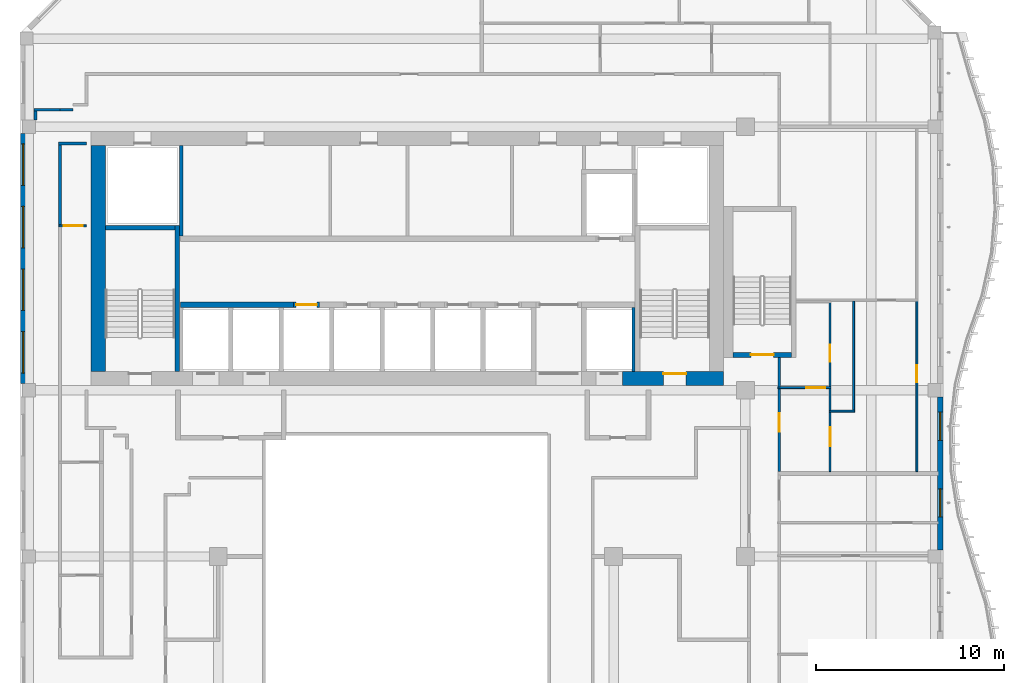
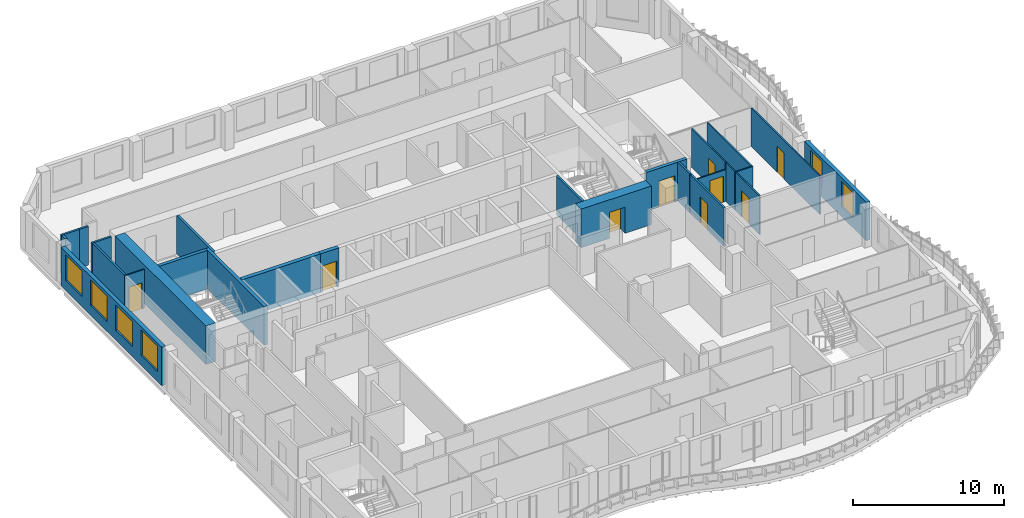
# One storey, part 6 of 18: 26 walls, 9 doors, 6 windows, 15 openings.
"""IFC4 building model written with IfcOpenShell, lengths in metres."""

import ifcopenshell
import ifcopenshell.guid

model = None  # the IFC model being written
_history = None  # IfcOwnerHistory: only IFC2X3 demands one
_inside = {}  # id of a spatial element -> (the spatial element, [elements in it])
_under = {}  # id of a project, library or spatial element -> (it, [spatial elements below it])
_declared = {}  # id of a project -> (the project, [libraries it declares])
_typed = {}  # id of a type object -> (the type object, [elements of that type])
_made_of = {}  # id of a material, layer set ... -> (it, [elements and type objects made of it])


def new_model(schema):
    """Start an empty IFC model of exactly this schema.

    Asked for "IFC4X3", IfcOpenShell would pick the latest addendum, in which some entities
    have other attributes; the version numbers below select the first issue.
    IFC2X3 requires an IfcOwnerHistory on every rooted entity: one is made here for all.
    """
    global model, _history
    if schema == "IFC4X3":
        model = ifcopenshell.file(schema_version=(4, 3, 0, 0))
    else:
        model = ifcopenshell.file(schema=schema)
    _inside.clear()
    _under.clear()
    _declared.clear()
    _typed.clear()
    _made_of.clear()
    _history = None
    if model.schema == "IFC2X3":
        org = make("IfcOrganization", Name="unknown")
        user = make(
            "IfcPersonAndOrganization",
            ThePerson=make("IfcPerson", FamilyName="unknown"),
            TheOrganization=org,
        )
        app = make(
            "IfcApplication",
            ApplicationDeveloper=org,
            Version="unknown",
            ApplicationFullName="unknown",
            ApplicationIdentifier="unknown",
        )
        _history = make(
            "IfcOwnerHistory",
            OwningUser=user,
            OwningApplication=app,
            ChangeAction="ADDED",
            CreationDate=0,
        )
    return model


def make(cls, **values):
    """One entity of the class cls with the attributes given. An attribute that is None is left unset."""
    return model.create_entity(
        cls, **{name: value for name, value in values.items() if value is not None}
    )


def rooted(cls, **values):
    """An entity with a GlobalId (a new one), such as an element, a storey or a relation."""
    return make(cls, GlobalId=ifcopenshell.guid.new(), OwnerHistory=_history, **values)


def si_unit(unit_type, name, prefix=None):
    """IfcSIUnit, for example si_unit("LENGTHUNIT", "METRE", prefix="MILLI")."""
    return make("IfcSIUnit", UnitType=unit_type, Prefix=prefix, Name=name)


def assignment(units):
    """IfcUnitAssignment: the units of a project."""
    return None if units is None else make("IfcUnitAssignment", Units=units)


def point(xyz):
    """IfcCartesianPoint."""
    return None if xyz is None else make("IfcCartesianPoint", Coordinates=xyz)


def direction(xyz):
    """IfcDirection."""
    return None if xyz is None else make("IfcDirection", DirectionRatios=xyz)


def frame(location, z_axis=None, x_axis=None):
    """IfcAxis2Placement3D, a coordinate frame: its origin and axes. An axis left out is left unset."""
    return make(
        "IfcAxis2Placement3D",
        Location=point(location),
        Axis=direction(z_axis),
        RefDirection=direction(x_axis),
    )


def frame_2d(location, x_axis=None):
    """IfcAxis2Placement2D, a coordinate frame in the plane: its origin and x axis."""
    return make(
        "IfcAxis2Placement2D", Location=point(location), RefDirection=direction(x_axis)
    )


def origin():
    """The frame at (0, 0, 0) with its axes left unset."""
    return frame((0.0, 0.0, 0.0))


def place(relative_to, where):
    """IfcLocalPlacement: puts the frame where relative to a parent placement (None: the world)."""
    return make(
        "IfcLocalPlacement", PlacementRelTo=relative_to, RelativePlacement=where
    )


def context(
    kind, dimensions, precision=None, world=None, true_north=None, identifier=None
):
    """IfcGeometricRepresentationContext, for example the 3D "Model" context."""
    return make(
        "IfcGeometricRepresentationContext",
        ContextIdentifier=identifier,
        ContextType=kind,
        CoordinateSpaceDimension=dimensions,
        Precision=precision,
        WorldCoordinateSystem=world,
        TrueNorth=true_north,
    )


def subcontext(parent, identifier, kind, view, scale=None):
    """IfcGeometricRepresentationSubContext, for example "Body" below "Model"."""
    return make(
        "IfcGeometricRepresentationSubContext",
        ContextIdentifier=identifier,
        ContextType=kind,
        ParentContext=parent,
        TargetScale=scale,
        TargetView=view,
    )


def project(units=None, contexts=None):
    """IfcProject with its units and contexts."""
    return rooted(
        "IfcProject",
        Name="project",
        RepresentationContexts=contexts,
        UnitsInContext=assignment(units),
    )


def spatial(cls, under=None, at=None, **own):
    """A site, building, storey or space (cls), placed at a placement, below another one or the project."""
    s = rooted(cls, ObjectPlacement=at, **own)
    if under is not None:
        _under.setdefault(under.id(), (under, []))[1].append(s)
    return s


def profile(cls, at=None, kind="AREA", **sizes):
    """A parametric profile (cls). Its sizes go by their IFC names, for example OverallWidth=200.0."""
    return make(cls, ProfileType=kind, Position=at, **sizes)


def rectangle(**sizes):
    """IfcRectangleProfileDef."""
    return profile("IfcRectangleProfileDef", **sizes)


def extrude(swept, where, along, depth):
    """IfcExtrudedAreaSolid: the profile swept, set in the frame where, extruded along a direction by depth."""
    return make(
        "IfcExtrudedAreaSolid",
        SweptArea=swept,
        Position=where,
        ExtrudedDirection=direction(along),
        Depth=depth,
    )


def shape(context_of_items, identifier, shape_type, items):
    """IfcShapeRepresentation: the items that make up one representation, for example the "Body"."""
    return make(
        "IfcShapeRepresentation",
        ContextOfItems=context_of_items,
        RepresentationIdentifier=identifier,
        RepresentationType=shape_type,
        Items=items,
    )


def source(mapping_origin, context_of_items, identifier, shape_type, items):
    """IfcRepresentationMap: a shape defined once, which mapped items show again and again."""
    return make(
        "IfcRepresentationMap",
        MappingOrigin=mapping_origin,
        MappedRepresentation=shape(context_of_items, identifier, shape_type, items),
    )


def transform(
    local_origin,
    x_axis=None,
    y_axis=None,
    z_axis=None,
    scale=None,
    scale2=None,
    scale3=None,
    uniform=True,
):
    """IfcCartesianTransformationOperator3D, or its non-uniform kind. x_axis, y_axis, z_axis: its Axis1, 2, 3."""
    if uniform:
        return make(
            "IfcCartesianTransformationOperator3D",
            Axis1=direction(x_axis),
            Axis2=direction(y_axis),
            LocalOrigin=point(local_origin),
            Scale=scale,
            Axis3=direction(z_axis),
        )
    return make(
        "IfcCartesianTransformationOperator3DnonUniform",
        Axis1=direction(x_axis),
        Axis2=direction(y_axis),
        LocalOrigin=point(local_origin),
        Scale=scale,
        Axis3=direction(z_axis),
        Scale2=scale2,
        Scale3=scale3,
    )


def mapped(mapping_source, mapping_target):
    """IfcMappedItem: shows the shape of a source again, moved by a transform."""
    return make(
        "IfcMappedItem", MappingSource=mapping_source, MappingTarget=mapping_target
    )


def material(Name=None, Category=None):
    """IfcMaterial."""
    return make("IfcMaterial", Name=Name, Category=Category)


def layer(
    of_material, thickness, ventilated=None, Name=None, Category=None, Priority=None
):
    """IfcMaterialLayer: one layer of a wall or slab, of a material (None: an air gap)."""
    return make(
        "IfcMaterialLayer",
        Material=of_material,
        LayerThickness=thickness,
        IsVentilated=ventilated,
        Name=Name,
        Category=Category,
        Priority=Priority,
    )


def layer_set(layers, Name=None):
    """IfcMaterialLayerSet."""
    return make("IfcMaterialLayerSet", MaterialLayers=layers, LayerSetName=Name)


def made_of(thing, what):
    """Note that an element or type object is made of a material, layer set ...; save() writes the relation."""
    if what is not None:
        _made_of.setdefault(what.id(), (what, []))[1].append(thing)
    return thing


def type_object(cls, material=None, **own):
    """A type object (cls), such as IfcWallType, which elements share."""
    return made_of(rooted(cls, **own), material)


def element(
    cls,
    number,
    at=None,
    inside=None,
    cuts=None,
    type_object=None,
    material=None,
    context=None,
    identifier="Body",
    shape_type=None,
    held_by="IfcProductDefinitionShape",
    body=None,
    shapes=None,
    **own,
):
    """One element of the class cls, such as IfcWall. Its Tag is "e" and its number.

    at: its placement. inside: the storey or other place that contains it. cuts: it is an
    opening in that element (IfcRelVoidsElement). A single representation is given by context,
    identifier, shape_type and body (its items); several are given by shapes. held_by: the class
    of the entity that holds the representations. save() writes the other relations.
    """
    e = rooted(cls, Tag="e%d" % number, ObjectPlacement=at, **own)
    if body is not None:
        shapes = [shape(context, identifier, shape_type, body)]
    if shapes is not None:
        e.Representation = make(held_by, Representations=shapes)
    if inside is not None:
        _inside.setdefault(inside.id(), (inside, []))[1].append(e)
    if cuts is not None:
        rooted(
            "IfcRelVoidsElement", RelatingBuildingElement=cuts, RelatedOpeningElement=e
        )
    if type_object is not None:
        _typed.setdefault(type_object.id(), (type_object, []))[1].append(e)
    return made_of(e, material)


def fill(opening, filler):
    """IfcRelFillsElement: the door or window that sits in an opening."""
    return rooted(
        "IfcRelFillsElement",
        RelatingOpeningElement=opening,
        RelatedBuildingElement=filler,
    )


def aggregate(whole, parts):
    """IfcRelAggregates: a whole, such as a stair, and the parts it consists of."""
    return rooted("IfcRelAggregates", RelatingObject=whole, RelatedObjects=parts)


def save(model, path):
    """Write the relations noted so far, then the file.

    IfcRelAggregates (storeys below a building ...), IfcRelContainedInSpatialStructure (elements
    in a storey), IfcRelDefinesByType, IfcRelAssociatesMaterial and IfcRelDeclares: one each for
    every whole, place, type object, material and project.
    """
    for whole, parts in _under.values():
        aggregate(whole, parts)
    for where, things in _inside.values():
        rooted(
            "IfcRelContainedInSpatialStructure",
            RelatedElements=things,
            RelatingStructure=where,
        )
    for kind, things in _typed.values():
        rooted("IfcRelDefinesByType", RelatedObjects=things, RelatingType=kind)
    for what, things in _made_of.values():
        rooted("IfcRelAssociatesMaterial", RelatedObjects=things, RelatingMaterial=what)
    for by, libraries in _declared.values():
        rooted("IfcRelDeclares", RelatingContext=by, RelatedDefinitions=libraries)
    model.write(path)


model = new_model("IFC4")

# Units and contexts
model_context = context("Model", 3, precision=1e-05, world=origin(), true_north=direction((0.0, 1.0)))
body_context = subcontext(model_context, "Body", "Model", "MODEL_VIEW")
ifc_project = project(units=[si_unit("LENGTHUNIT", "METRE"), si_unit("AREAUNIT", "SQUARE_METRE"), si_unit("VOLUMEUNIT", "CUBIC_METRE"), si_unit("PLANEANGLEUNIT", "RADIAN"), si_unit("MASSUNIT", "GRAM", prefix="KILO")], contexts=[model_context])

# Site, building, storey
site_placement = place(None, origin())
site = spatial("IfcSite", under=ifc_project, at=site_placement, CompositionType="ELEMENT")
building_placement = place(site_placement, origin())
building = spatial("IfcBuilding", under=site, at=building_placement, Name="Kilnfold Tower and Market Hall", CompositionType="ELEMENT")
storey_placement = place(building_placement, frame((0.0, 0.0, 249.199951171875)))
storey = spatial("IfcBuildingStorey", under=building, at=storey_placement, Name="L60", CompositionType="ELEMENT", Elevation=249.199951171875)

# Walls
ifc_material_1 = material(Name="Gypsum board on steel studs", Category="steel")
ifc_layer_1 = layer(ifc_material_1, 0.14990234375)
ifc_layer_set_1 = layer_set([ifc_layer_1], Name="Gypsum board on steel studs")
wall_type_1 = type_object("IfcWallType", Name="WALL CORRIDOR 150", PredefinedType="PARTITIONING", material=ifc_layer_set_1)
wall_1_placement = place(storey_placement, frame((-17.47509765625, 21.10009765625, 0.0), z_axis=(0.0, 0.0, 1.0), x_axis=(1.0, 0.0, 0.0)))
element("IfcWall", 1, at=wall_1_placement, inside=storey, type_object=wall_type_1, Name="Partition LY37.7", PredefinedType="PARTITIONING", context=body_context, shape_type="SweptSolid", body=[
    extrude(rectangle(XDim=1.47509765625, YDim=0.14990234375, at=frame_2d((0.737548828125, 0.0))), origin(), (0.0, 0.0, 1.0), 3.1201171875),
])
wall_2_placement = place(storey_placement, frame((-17.39990234375, 16.77099609375, 0.0), z_axis=(0.0, 0.0, 1.0), x_axis=(0.0, 1.0, 0.0)))
element("IfcWall", 2, at=wall_2_placement, inside=storey, type_object=wall_type_1, Name="Partition LY37.8", PredefinedType="PARTITIONING", context=body_context, shape_type="SweptSolid", body=[
    extrude(rectangle(XDim=4.25390625, YDim=0.14990234375, at=frame_2d((2.126953125, 0.0))), origin(), (0.0, 0.0, 1.0), 3.1201171875),
])

# Wall, opening, door
wall_3_placement = place(storey_placement, frame((20.800048828125, 3.673095703125, 0.0), z_axis=(0.0, 0.0, 1.0), x_axis=(0.0, 1.0, 0.0)))
wall_3 = element("IfcWall", 3, at=wall_3_placement, inside=storey, type_object=wall_type_1, Name="Partition LY37.17", PredefinedType="PARTITIONING", context=body_context, shape_type="SweptSolid", body=[
    extrude(rectangle(XDim=4.428955078125, YDim=0.14990234375, at=frame_2d((2.21435546875, 0.0))), origin(), (0.0, 0.0, 1.0), 3.1201171875),
])
opening_1_placement = place(wall_3_placement, frame((2.117919921875, 0.0, 0.0)))
opening_1 = element("IfcOpeningElement", 4, at=opening_1_placement, cuts=wall_3, Name="Opening D1", PredefinedType="OPENING", context=body_context, shape_type="SweptSolid", body=[
    extrude(rectangle(XDim=1.0, YDim=2.10009765625, at=frame_2d((0.5, 1.050048828125))), frame((0.0, 0.0849609375, 0.0), z_axis=(0.0, -1.0, 0.0), x_axis=(1.0, 0.0, 0.0)), (0.0, 0.0, 1.0), 0.169921875),
])
ifc_material_2 = material(Name="Timber veneer door leaf in steel frame", Category="steel")
door_type_1 = type_object("IfcDoorType", Name="DOOR ENTRY 1000 X2100", OperationType="NOTDEFINED", PredefinedType="DOOR", material=ifc_material_2)
door_1_placement = place(opening_1_placement, origin())
door_1 = element("IfcDoor", 5, at=door_1_placement, inside=storey, type_object=door_type_1, Name="Door D1", OperationType="SINGLE_SWING_RIGHT", OverallHeight=2.10009765625, OverallWidth=1.0, PredefinedType="DOOR", context=body_context, shape_type="SweptSolid", body=[
    extrude(rectangle(XDim=1.0, YDim=2.10009765625, at=frame_2d((0.5, 1.050048828125))), frame((0.0, 0.02490234375, 0.0), z_axis=(0.0, -1.0, 0.0), x_axis=(1.0, 0.0, 0.0)), (0.0, 0.0, 1.0), 0.050048828125),
])
fill(opening_1, door_1)

# Walls
wall_4_placement = place(storey_placement, frame((20.800048828125, 8.181884765625, 0.0), z_axis=(0.0, 0.0, 1.0), x_axis=(0.0, 1.0, 0.0)))
element("IfcWall", 6, at=wall_4_placement, inside=storey, type_object=wall_type_1, Name="Partition LY37.18", PredefinedType="PARTITIONING", context=body_context, shape_type="SweptSolid", body=[
    extrude(rectangle(XDim=1.568115234375, YDim=0.14990234375, at=frame_2d((0.7841796875, 0.0))), origin(), (0.0, 0.0, 1.0), 3.1201171875),
])
wall_5_placement = place(storey_placement, frame((-17.39794921875, 22.902099609375, 0.0), z_axis=(0.0, 0.0, 1.0), x_axis=(-1.0, 0.0, 0.0)))
element("IfcWall", 7, at=wall_5_placement, inside=storey, type_object=wall_type_1, Name="Partition LY37.22", PredefinedType="PARTITIONING", context=body_context, shape_type="SweptSolid", body=[
    extrude(rectangle(XDim=1.379150390625, YDim=0.14990234375, at=frame_2d((0.689453125, 0.0))), origin(), (0.0, 0.0, 1.0), 3.1201171875),
])
wall_6_placement = place(storey_placement, frame((-16.7119140625, 22.89990234375, 0.0), z_axis=(0.0, 0.0, 1.0), x_axis=(-1.0, 0.0, 0.0)))
element("IfcWall", 8, at=wall_6_placement, inside=storey, type_object=wall_type_1, Name="Partition LY37.23", PredefinedType="PARTITIONING", context=body_context, shape_type="SweptSolid", body=[
    extrude(rectangle(XDim=0.68603515625, YDim=0.14990234375, at=frame_2d((0.343017578125, 0.0))), origin(), (0.0, 0.0, 1.0), 3.1201171875),
])
wall_7_placement = place(storey_placement, frame((-18.701904296875, 22.826904296875, 0.0), z_axis=(0.0, 0.0, 1.0), x_axis=(0.0, -1.0, 0.0)))
element("IfcWall", 9, at=wall_7_placement, inside=storey, type_object=wall_type_1, Name="Partition LY37.27", PredefinedType="PARTITIONING", context=body_context, shape_type="SweptSolid", body=[
    extrude(rectangle(XDim=0.476806640625, YDim=0.14990234375, at=frame_2d((0.23828125, 0.0))), origin(), (0.0, 0.0, 1.0), 3.1201171875),
])

# Wall, opening, door
ifc_material_3 = material(Name="Gypsum board on steel studs", Category="steel")
ifc_layer_2 = layer(ifc_material_3, 0.10009765625)
ifc_layer_set_2 = layer_set([ifc_layer_2], Name="Gypsum board on steel studs")
wall_type_2 = type_object("IfcWallType", Name="WALL PARTITION 100", PredefinedType="PARTITIONING", material=ifc_layer_set_2)
wall_8_placement = place(storey_placement, frame((-16.0, 16.73095703125, 0.0), z_axis=(0.0, 0.0, 1.0), x_axis=(-1.0, 0.0, 0.0)))
wall_8 = element("IfcWall", 10, at=wall_8_placement, inside=storey, type_object=wall_type_2, Name="Partition LY37.54", PredefinedType="PARTITIONING", context=body_context, shape_type="SweptSolid", body=[
    extrude(rectangle(XDim=1.472900390625, YDim=0.10009765625, at=frame_2d((0.736328125, 0.0))), origin(), (0.0, 0.0, 1.0), 3.1201171875),
])
opening_2_placement = place(wall_8_placement, frame((0.199951171875, 0.0, 0.0)))
opening_2 = element("IfcOpeningElement", 11, at=opening_2_placement, cuts=wall_8, Name="Opening D1", PredefinedType="OPENING", context=body_context, shape_type="SweptSolid", body=[
    extrude(rectangle(XDim=1.0, YDim=2.10009765625, at=frame_2d((0.5, 1.050048828125))), frame((0.0, 0.06005859375, 0.0), z_axis=(0.0, -1.0, 0.0), x_axis=(1.0, 0.0, 0.0)), (0.0, 0.0, 1.0), 0.1201171875),
])
door_2_placement = place(opening_2_placement, origin())
door_2 = element("IfcDoor", 12, at=door_2_placement, inside=storey, type_object=door_type_1, Name="Door D1", OperationType="SINGLE_SWING_LEFT", OverallHeight=2.10009765625, OverallWidth=1.0, PredefinedType="DOOR", context=body_context, shape_type="SweptSolid", body=[
    extrude(rectangle(XDim=1.0, YDim=2.10009765625, at=frame_2d((0.5, 1.050048828125))), frame((0.0, 0.02490234375, 0.0), z_axis=(0.0, -1.0, 0.0), x_axis=(1.0, 0.0, 0.0)), (0.0, 0.0, 1.0), 0.050048828125),
])
fill(opening_2, door_2)

wall_9_placement = place(storey_placement, frame((23.501953125, 3.68310546875, 0.0), z_axis=(0.0, 0.0, 1.0), x_axis=(0.0, 1.0, 0.0)))
wall_9 = element("IfcWall", 13, at=wall_9_placement, inside=storey, type_object=wall_type_2, Name="Partition LY37.79", PredefinedType="PARTITIONING", context=body_context, shape_type="SweptSolid", body=[
    extrude(rectangle(XDim=3.157958984375, YDim=0.10009765625, at=frame_2d((1.5791015625, 0.0))), origin(), (0.0, 0.0, 1.0), 3.1201171875),
])
opening_3_placement = place(wall_9_placement, frame((1.337890625, 0.0, 0.0)))
opening_3 = element("IfcOpeningElement", 14, at=opening_3_placement, cuts=wall_9, Name="Opening D1", PredefinedType="OPENING", context=body_context, shape_type="SweptSolid", body=[
    extrude(rectangle(XDim=1.0, YDim=2.10009765625, at=frame_2d((0.5, 1.050048828125))), frame((0.0, 0.06005859375, 0.0), z_axis=(0.0, -1.0, 0.0), x_axis=(1.0, 0.0, 0.0)), (0.0, 0.0, 1.0), 0.1201171875),
])
door_3_placement = place(opening_3_placement, origin())
door_3 = element("IfcDoor", 15, at=door_3_placement, inside=storey, type_object=door_type_1, Name="Door D1", OperationType="SINGLE_SWING_RIGHT", OverallHeight=2.10009765625, OverallWidth=1.0, PredefinedType="DOOR", context=body_context, shape_type="SweptSolid", body=[
    extrude(rectangle(XDim=1.0, YDim=2.10009765625, at=frame_2d((0.5, 1.050048828125))), frame((0.0, 0.02490234375, 0.0), z_axis=(0.0, -1.0, 0.0), x_axis=(1.0, 0.0, 0.0)), (0.0, 0.0, 1.0), 0.050048828125),
])
fill(opening_3, door_3)

wall_10_placement = place(storey_placement, frame((28.111083984375, 3.68310546875, 0.0), z_axis=(0.0, 0.0, 1.0), x_axis=(0.0, 1.0, 0.0)))
wall_10 = element("IfcWall", 16, at=wall_10_placement, inside=storey, type_object=wall_type_2, Name="Partition LY37.80", PredefinedType="PARTITIONING", context=body_context, shape_type="SweptSolid", body=[
    extrude(rectangle(XDim=9.057861328125, YDim=0.10009765625, at=frame_2d((4.52880859375, 0.0))), origin(), (0.0, 0.0, 1.0), 3.1201171875),
])
opening_4_placement = place(wall_10_placement, frame((4.73388671875, 0.0, 0.0)))
opening_4 = element("IfcOpeningElement", 17, at=opening_4_placement, cuts=wall_10, Name="Opening D2", PredefinedType="OPENING", context=body_context, shape_type="SweptSolid", body=[
    extrude(rectangle(XDim=0.89990234375, YDim=2.10009765625, at=frame_2d((0.449951171875, 1.050048828125))), frame((0.0, 0.06005859375, 0.0), z_axis=(0.0, -1.0, 0.0), x_axis=(1.0, 0.0, 0.0)), (0.0, 0.0, 1.0), 0.1201171875),
])
ifc_material_4 = material(Name="Timber veneer door leaf in steel frame", Category="steel")
door_type_2 = type_object("IfcDoorType", Name="DOOR ROOM 900 X2100", OperationType="NOTDEFINED", PredefinedType="DOOR", material=ifc_material_4)
door_4_placement = place(opening_4_placement, origin())
door_4 = element("IfcDoor", 18, at=door_4_placement, inside=storey, type_object=door_type_2, Name="Door D2", OperationType="SINGLE_SWING_RIGHT", OverallHeight=2.10009765625, OverallWidth=0.89990234375, PredefinedType="DOOR", context=body_context, shape_type="SweptSolid", body=[
    extrude(rectangle(XDim=0.89990234375, YDim=2.10009765625, at=frame_2d((0.449951171875, 1.050048828125))), frame((0.0, 0.02490234375, 0.0), z_axis=(0.0, -1.0, 0.0), x_axis=(1.0, 0.0, 0.0)), (0.0, 0.0, 1.0), 0.050048828125),
])
fill(opening_4, door_4)

# Walls
wall_11_placement = place(storey_placement, frame((24.801025390625, 6.89111328125, 0.0), z_axis=(0.0, 0.0, 1.0), x_axis=(-1.0, 0.0, 0.0)))
element("IfcWall", 19, at=wall_11_placement, inside=storey, type_object=wall_type_2, Name="Partition LY37.81", PredefinedType="PARTITIONING", context=body_context, shape_type="SweptSolid", body=[
    extrude(rectangle(XDim=1.34912109375, YDim=0.10009765625, at=frame_2d((0.674560546875, 0.0))), origin(), (0.0, 0.0, 1.0), 3.1201171875),
])
wall_12_placement = place(storey_placement, frame((24.7509765625, 12.740966796875, 0.0), z_axis=(0.0, 0.0, 1.0), x_axis=(0.0, -1.0, 0.0)))
element("IfcWall", 20, at=wall_12_placement, inside=storey, type_object=wall_type_2, Name="Partition LY37.82", PredefinedType="PARTITIONING", context=body_context, shape_type="SweptSolid", body=[
    extrude(rectangle(XDim=5.800048828125, YDim=0.10009765625, at=frame_2d((2.89990234375, 0.0))), origin(), (0.0, 0.0, 1.0), 3.1201171875),
])

# Wall, opening, door
wall_13_placement = place(storey_placement, frame((23.550048828125, 8.14208984375, 0.0), z_axis=(0.0, 0.0, 1.0), x_axis=(-1.0, 0.0, 0.0)))
wall_13 = element("IfcWall", 21, at=wall_13_placement, inside=storey, type_object=wall_type_2, Name="Partition LY37.86", PredefinedType="PARTITIONING", context=body_context, shape_type="SweptSolid", body=[
    extrude(rectangle(XDim=2.822998046875, YDim=0.10009765625, at=frame_2d((1.41162109375, 0.0))), origin(), (0.0, 0.0, 1.0), 2.570068359375),
])
opening_5_placement = place(wall_13_placement, frame((0.302001953125, 0.0, 0.0)))
opening_5 = element("IfcOpeningElement", 22, at=opening_5_placement, cuts=wall_13, Name="Opening D1", PredefinedType="OPENING", context=body_context, shape_type="SweptSolid", body=[
    extrude(rectangle(XDim=1.0, YDim=2.10009765625, at=frame_2d((0.5, 1.050048828125))), frame((0.0, 0.06005859375, 0.0), z_axis=(0.0, -1.0, 0.0), x_axis=(1.0, 0.0, 0.0)), (0.0, 0.0, 1.0), 0.1201171875),
])
door_5_placement = place(opening_5_placement, origin())
door_5 = element("IfcDoor", 23, at=door_5_placement, inside=storey, type_object=door_type_1, Name="Door D1", OperationType="SINGLE_SWING_RIGHT", OverallHeight=2.10009765625, OverallWidth=1.0, PredefinedType="DOOR", context=body_context, shape_type="SweptSolid", body=[
    extrude(rectangle(XDim=1.0, YDim=2.10009765625, at=frame_2d((0.5, 1.050048828125))), frame((0.0, 0.02490234375, 0.0), z_axis=(0.0, -1.0, 0.0), x_axis=(1.0, 0.0, 0.0)), (0.0, 0.0, 1.0), 0.050048828125),
])
fill(opening_5, door_5)

# Wall
wall_14_placement = place(storey_placement, frame((23.5, 6.931884765625, 0.0), z_axis=(0.0, 0.0, 1.0), x_axis=(0.0, 1.0, 0.0)))
element("IfcWall", 24, at=wall_14_placement, inside=storey, type_object=wall_type_2, Name="Partition LY37.87", PredefinedType="PARTITIONING", context=body_context, shape_type="SweptSolid", body=[
    extrude(rectangle(XDim=1.16015625, YDim=0.10009765625, at=frame_2d((0.580078125, 0.0))), origin(), (0.0, 0.0, 1.0), 3.1201171875),
])

# Wall, opening, door
wall_15_placement = place(storey_placement, frame((23.5, 8.19189453125, 0.0), z_axis=(0.0, 0.0, 1.0), x_axis=(0.0, 1.0, 0.0)))
wall_15 = element("IfcWall", 25, at=wall_15_placement, inside=storey, type_object=wall_type_2, Name="Partition LY37.89", PredefinedType="PARTITIONING", context=body_context, shape_type="SweptSolid", body=[
    extrude(rectangle(XDim=4.4580078125, YDim=0.10009765625, at=frame_2d((2.22900390625, 0.0))), origin(), (0.0, 0.0, 1.0), 3.1201171875),
])
opening_6_placement = place(wall_15_placement, frame((1.321044921875, 0.0, 0.0)))
opening_6 = element("IfcOpeningElement", 26, at=opening_6_placement, cuts=wall_15, Name="Opening D2", PredefinedType="OPENING", context=body_context, shape_type="SweptSolid", body=[
    extrude(rectangle(XDim=0.89990234375, YDim=2.10009765625, at=frame_2d((0.449951171875, 1.050048828125))), frame((0.0, 0.06005859375, 0.0), z_axis=(0.0, -1.0, 0.0), x_axis=(1.0, 0.0, 0.0)), (0.0, 0.0, 1.0), 0.1201171875),
])
door_6_placement = place(opening_6_placement, origin())
door_6 = element("IfcDoor", 27, at=door_6_placement, inside=storey, type_object=door_type_2, Name="Door D2", OperationType="SINGLE_SWING_RIGHT", OverallHeight=2.10009765625, OverallWidth=0.89990234375, PredefinedType="DOOR", context=body_context, shape_type="SweptSolid", body=[
    extrude(rectangle(XDim=0.89990234375, YDim=2.10009765625, at=frame_2d((0.449951171875, 1.050048828125))), frame((0.0, 0.02490234375, 0.0), z_axis=(0.0, -1.0, 0.0), x_axis=(1.0, 0.0, 0.0)), (0.0, 0.0, 1.0), 0.050048828125),
])
fill(opening_6, door_6)

# Walls
ifc_material_5 = material(Name="Concrete C60", Category="concrete")
ifc_layer_3 = layer(ifc_material_5, 0.25)
ifc_layer_set_3 = layer_set([ifc_layer_3], Name="Concrete C60")
wall_type_3 = type_object("IfcWallType", Name="CORE WALL 250 C60", PredefinedType="SHEAR", material=ifc_layer_set_3)
shared_shape_1 = source(origin(), body_context, "Body", "SweptSolid", [
    extrude(rectangle(XDim=7.75, YDim=0.25, at=frame_2d((3.875, 0.0))), origin(), (0.0, 0.0, 1.0), 3.1201171875),
])
wall_16_placement = place(storey_placement, frame((-11.175048828125, 9.0, 0.0), z_axis=(0.0, 0.0, 1.0), x_axis=(0.0, 1.0, 0.0)))
element("IfcWall", 28, at=wall_16_placement, inside=storey, type_object=wall_type_3, Name="Stair enclosure ST1", PredefinedType="SHEAR", context=body_context, shape_type="MappedRepresentation", body=[
    mapped(shared_shape_1, transform((0.0, 0.0, 0.0))),
])
shared_shape_2 = source(origin(), body_context, "Body", "SweptSolid", [
    extrude(rectangle(XDim=3.699951171875, YDim=0.25, at=frame_2d((1.85009765625, 0.0))), origin(), (0.0, 0.0, 1.0), 3.1201171875),
])
wall_17_placement = place(storey_placement, frame((-15.0, 16.625, 0.0), z_axis=(0.0, 0.0, 1.0), x_axis=(1.0, 0.0, 0.0)))
element("IfcWall", 29, at=wall_17_placement, inside=storey, type_object=wall_type_3, Name="Stair enclosure ST1", PredefinedType="SHEAR", context=body_context, shape_type="MappedRepresentation", body=[
    mapped(shared_shape_2, transform((0.0, 0.0, 0.0))),
])

# Wall, opening, door
shared_shape_3 = source(origin(), body_context, "Body", "SweptSolid", [
    extrude(rectangle(XDim=3.099853515625, YDim=0.25, at=frame_2d((1.5498046875, 0.0))), origin(), (0.0, 0.0, 1.0), 3.1201171875),
])
wall_18_placement = place(storey_placement, frame((18.35009765625, 9.875, 0.0), z_axis=(0.0, 0.0, 1.0), x_axis=(1.0, 0.0, 0.0)))
wall_18 = element("IfcWall", 30, at=wall_18_placement, inside=storey, type_object=wall_type_3, Name="Stair enclosure ST5", PredefinedType="SHEAR", context=body_context, shape_type="MappedRepresentation", body=[
    mapped(shared_shape_3, transform((0.0, 0.0, 0.0))),
])
opening_7_placement = place(wall_18_placement, frame((0.949951171875, 0.0, 0.0)))
opening_7 = element("IfcOpeningElement", 31, at=opening_7_placement, cuts=wall_18, Name="Opening SD1", PredefinedType="OPENING", context=body_context, shape_type="SweptSolid", body=[
    extrude(rectangle(XDim=1.199951171875, YDim=2.10009765625, at=frame_2d((0.60009765625, 1.050048828125))), frame((0.0, 0.135009765625, 0.0), z_axis=(0.0, -1.0, 0.0), x_axis=(1.0, 0.0, 0.0)), (0.0, 0.0, 1.0), 0.27001953125),
])
ifc_material_6 = material(Name="Steel door set with fire-resisting leaf", Category="steel")
door_type_3 = type_object("IfcDoorType", Name="STAIR FLOOR DOOR 1200X2100", OperationType="NOTDEFINED", PredefinedType="DOOR", material=ifc_material_6)
door_7_placement = place(opening_7_placement, origin())
door_7 = element("IfcDoor", 32, at=door_7_placement, inside=storey, type_object=door_type_3, Name="Exit stair ST5 door", OperationType="DOUBLE_DOOR_SINGLE_SWING", OverallHeight=2.10009765625, OverallWidth=1.199951171875, PredefinedType="DOOR", context=body_context, shape_type="SweptSolid", body=[
    extrude(rectangle(XDim=1.199951171875, YDim=2.10009765625, at=frame_2d((0.60009765625, 1.050048828125))), frame((0.0, 0.02490234375, 0.0), z_axis=(0.0, -1.0, 0.0), x_axis=(1.0, 0.0, 0.0)), (0.0, 0.0, 1.0), 0.050048828125),
])
fill(opening_7, door_7)

# Wall
ifc_material_7 = material(Name="Concrete C60", Category="concrete")
ifc_layer_4 = layer(ifc_material_7, 0.300048828125)
ifc_layer_set_4 = layer_set([ifc_layer_4], Name="Concrete C60")
wall_type_4 = type_object("IfcWallType", Name="CORE WALL 300 C60", PredefinedType="SHEAR", material=ifc_layer_set_4)
shared_shape_4 = source(origin(), body_context, "Body", "SweptSolid", [
    extrude(rectangle(XDim=6.0, YDim=0.300048828125, at=frame_2d((3.0, 0.0))), origin(), (0.0, 0.0, 1.0), 3.1201171875),
])
wall_19_placement = place(storey_placement, frame((-11.010009765625, 12.550048828125, 0.0), z_axis=(0.0, 0.0, 1.0), x_axis=(1.0, 0.0, 0.0)))
element("IfcWall", 33, at=wall_19_placement, inside=storey, type_object=wall_type_4, Name="Core spine wall", PredefinedType="SHEAR", context=body_context, shape_type="MappedRepresentation", body=[
    mapped(shared_shape_4, transform((0.0, 0.0, 0.0))),
])

# Wall, opening, door
ifc_material_8 = material(Name="Concrete C60", Category="concrete")
ifc_layer_5 = layer(ifc_material_8, 0.75)
ifc_layer_set_5 = layer_set([ifc_layer_5], Name="Concrete C60")
wall_type_5 = type_object("IfcWallType", Name="CORE WALL 750 C60", PredefinedType="SHEAR", material=ifc_layer_set_5)
shared_shape_5 = source(origin(), body_context, "Body", "SweptSolid", [
    extrude(rectangle(XDim=5.380126953125, YDim=0.75, at=frame_2d((2.68994140625, 0.0))), origin(), (0.0, 0.0, 1.0), 3.1201171875),
])
wall_20_placement = place(storey_placement, frame((12.469970703125, 8.625, 0.0), z_axis=(0.0, 0.0, 1.0), x_axis=(1.0, 0.0, 0.0)))
wall_20 = element("IfcWall", 34, at=wall_20_placement, inside=storey, type_object=wall_type_5, Name="Core outer wall south", PredefinedType="SHEAR", context=body_context, shape_type="MappedRepresentation", body=[
    mapped(shared_shape_5, transform((0.0, 0.0, 0.0))),
])
opening_8_placement = place(wall_20_placement, frame((2.179931640625, 0.0, 0.0)))
opening_8 = element("IfcOpeningElement", 35, at=opening_8_placement, cuts=wall_20, Name="Opening SD1", PredefinedType="OPENING", context=body_context, shape_type="SweptSolid", body=[
    extrude(rectangle(XDim=1.199951171875, YDim=2.10009765625, at=frame_2d((0.60009765625, 1.050048828125))), frame((0.0, 0.385009765625, 0.0), z_axis=(0.0, -1.0, 0.0), x_axis=(1.0, 0.0, 0.0)), (0.0, 0.0, 1.0), 0.77001953125),
])
door_8_placement = place(opening_8_placement, origin())
door_8 = element("IfcDoor", 36, at=door_8_placement, inside=storey, type_object=door_type_3, Name="Exit stair ST2 door", OperationType="DOUBLE_DOOR_SINGLE_SWING", OverallHeight=2.10009765625, OverallWidth=1.199951171875, PredefinedType="DOOR", context=body_context, shape_type="SweptSolid", body=[
    extrude(rectangle(XDim=1.199951171875, YDim=2.10009765625, at=frame_2d((0.60009765625, 1.050048828125))), frame((0.0, 0.27978515625, 0.0), z_axis=(0.0, -1.0, 0.0), x_axis=(1.0, 0.0, 0.0)), (0.0, 0.0, 1.0), 0.050048828125),
])
fill(opening_8, door_8)

# Wall
shared_shape_6 = source(origin(), body_context, "Body", "SweptSolid", [
    extrude(rectangle(XDim=12.0, YDim=0.75, at=frame_2d((6.0, 0.0))), origin(), (0.0, 0.0, 1.0), 3.1201171875),
])
wall_21_placement = place(storey_placement, frame((-15.375, 9.0, 0.0), z_axis=(0.0, 0.0, 1.0), x_axis=(0.0, 1.0, 0.0)))
element("IfcWall", 37, at=wall_21_placement, inside=storey, type_object=wall_type_5, Name="Core outer wall west", PredefinedType="SHEAR", context=body_context, shape_type="MappedRepresentation", body=[
    mapped(shared_shape_6, transform((0.0, 0.0, 0.0))),
])

# Wall, openings, windows
ifc_material_9 = material(Name="Precast concrete C50/60", Category="concrete")
ifc_layer_6 = layer(ifc_material_9, 0.300048828125)
ifc_layer_set_6 = layer_set([ifc_layer_6], Name="Precast concrete C50/60")
wall_type_6 = type_object("IfcWallType", Name="PRECAST WALL 300", PredefinedType="SOLIDWALL", material=ifc_layer_set_6)
shared_shape_7 = source(origin(), body_context, "Body", "SweptSolid", [
    extrude(rectangle(XDim=8.13330078125, YDim=0.300048828125, at=frame_2d((4.066650390625, 0.0))), origin(), (0.0, 0.0, 1.0), 3.1201171875),
])
wall_22_placement = place(storey_placement, frame((29.35009765625, -0.4833984375, 0.0), z_axis=(0.0, 0.0, 1.0), x_axis=(0.0, 1.0, 0.0)))
wall_22 = element("IfcWall", 38, at=wall_22_placement, inside=storey, type_object=wall_type_6, Name="External wall L60 E", PredefinedType="SOLIDWALL", context=body_context, shape_type="MappedRepresentation", body=[
    mapped(shared_shape_7, transform((0.0, 0.0, 0.0))),
])
opening_9_placement = place(wall_22_placement, frame((1.75, 0.0, 0.800048828125)))
opening_9 = element("IfcOpeningElement", 39, at=opening_9_placement, cuts=wall_22, Name="Opening W5", PredefinedType="OPENING", context=body_context, shape_type="SweptSolid", body=[
    extrude(rectangle(XDim=1.5, YDim=2.050048828125, at=frame_2d((0.75, 1.02490234375))), frame((0.0, 0.16015625, 0.0), z_axis=(0.0, -1.0, 0.0), x_axis=(1.0, 0.0, 0.0)), (0.0, 0.0, 1.0), 0.320068359375),
])
opening_10_placement = place(wall_22_placement, frame((5.816650390625, 0.0, 0.800048828125)))
opening_10 = element("IfcOpeningElement", 40, at=opening_10_placement, cuts=wall_22, Name="Opening W5", PredefinedType="OPENING", context=body_context, shape_type="SweptSolid", body=[
    extrude(rectangle(XDim=1.5, YDim=2.050048828125, at=frame_2d((0.75, 1.02490234375))), frame((0.0, 0.16015625, 0.0), z_axis=(0.0, -1.0, 0.0), x_axis=(1.0, 0.0, 0.0)), (0.0, 0.0, 1.0), 0.320068359375),
])
ifc_material_10 = material(Name="Aluminium frame and double glazing", Category="aluminium")
window_type_1 = type_object("IfcWindowType", Name="WINDOW W5 1500X2050", PartitioningType="SINGLE_PANEL", PredefinedType="WINDOW", material=ifc_material_10)
window_1_placement = place(opening_9_placement, origin())
window_1 = element("IfcWindow", 41, at=window_1_placement, inside=storey, type_object=window_type_1, Name="Window W5 L60 E-1", OverallHeight=2.050048828125, OverallWidth=1.5, PartitioningType="SINGLE_PANEL", PredefinedType="WINDOW", context=body_context, shape_type="SweptSolid", body=[
    extrude(rectangle(XDim=1.5, YDim=2.050048828125, at=frame_2d((0.75, 1.02490234375))), frame((0.0, 0.030029296875, 0.0), z_axis=(0.0, -1.0, 0.0), x_axis=(1.0, 0.0, 0.0)), (0.0, 0.0, 1.0), 0.06005859375),
])
fill(opening_9, window_1)
window_2_placement = place(opening_10_placement, origin())
window_2 = element("IfcWindow", 42, at=window_2_placement, inside=storey, type_object=window_type_1, Name="Window W5 L60 E-2", OverallHeight=2.050048828125, OverallWidth=1.5, PartitioningType="SINGLE_PANEL", PredefinedType="WINDOW", context=body_context, shape_type="SweptSolid", body=[
    extrude(rectangle(XDim=1.5, YDim=2.050048828125, at=frame_2d((0.75, 1.02490234375))), frame((0.0, 0.030029296875, 0.0), z_axis=(0.0, -1.0, 0.0), x_axis=(1.0, 0.0, 0.0)), (0.0, 0.0, 1.0), 0.06005859375),
])
fill(opening_10, window_2)

shared_shape_8 = source(origin(), body_context, "Body", "SweptSolid", [
    extrude(rectangle(XDim=13.2998046875, YDim=0.300048828125, at=frame_2d((6.64990234375, 0.0))), origin(), (0.0, 0.0, 1.0), 3.1201171875),
])
wall_23_placement = place(storey_placement, frame((-19.35009765625, 21.64990234375, 0.0), z_axis=(0.0, 0.0, 1.0), x_axis=(0.0, -1.0, 0.0)))
wall_23 = element("IfcWall", 43, at=wall_23_placement, inside=storey, type_object=wall_type_6, Name="External wall L60 W", PredefinedType="SOLIDWALL", context=body_context, shape_type="MappedRepresentation", body=[
    mapped(shared_shape_8, transform((0.0, 0.0, 0.0))),
])
opening_11_placement = place(wall_23_placement, frame((0.5625, 0.0, 0.800048828125)))
opening_11 = element("IfcOpeningElement", 44, at=opening_11_placement, cuts=wall_23, Name="Opening W3", PredefinedType="OPENING", context=body_context, shape_type="SweptSolid", body=[
    extrude(rectangle(XDim=2.199951171875, YDim=2.050048828125, at=frame_2d((1.10009765625, 1.02490234375))), frame((0.0, 0.16015625, 0.0), z_axis=(0.0, -1.0, 0.0), x_axis=(1.0, 0.0, 0.0)), (0.0, 0.0, 1.0), 0.320068359375),
])
opening_12_placement = place(wall_23_placement, frame((3.887451171875, 0.0, 0.800048828125)))
opening_12 = element("IfcOpeningElement", 45, at=opening_12_placement, cuts=wall_23, Name="Opening W3", PredefinedType="OPENING", context=body_context, shape_type="SweptSolid", body=[
    extrude(rectangle(XDim=2.199951171875, YDim=2.050048828125, at=frame_2d((1.10009765625, 1.02490234375))), frame((0.0, 0.16015625, 0.0), z_axis=(0.0, -1.0, 0.0), x_axis=(1.0, 0.0, 0.0)), (0.0, 0.0, 1.0), 0.320068359375),
])
opening_13_placement = place(wall_23_placement, frame((7.21240234375, 0.0, 0.800048828125)))
opening_13 = element("IfcOpeningElement", 46, at=opening_13_placement, cuts=wall_23, Name="Opening W3", PredefinedType="OPENING", context=body_context, shape_type="SweptSolid", body=[
    extrude(rectangle(XDim=2.199951171875, YDim=2.050048828125, at=frame_2d((1.10009765625, 1.02490234375))), frame((0.0, 0.16015625, 0.0), z_axis=(0.0, -1.0, 0.0), x_axis=(1.0, 0.0, 0.0)), (0.0, 0.0, 1.0), 0.320068359375),
])
opening_14_placement = place(wall_23_placement, frame((10.53759765625, 0.0, 0.800048828125)))
opening_14 = element("IfcOpeningElement", 47, at=opening_14_placement, cuts=wall_23, Name="Opening W3", PredefinedType="OPENING", context=body_context, shape_type="SweptSolid", body=[
    extrude(rectangle(XDim=2.199951171875, YDim=2.050048828125, at=frame_2d((1.10009765625, 1.02490234375))), frame((0.0, 0.16015625, 0.0), z_axis=(0.0, -1.0, 0.0), x_axis=(1.0, 0.0, 0.0)), (0.0, 0.0, 1.0), 0.320068359375),
])
ifc_material_11 = material(Name="Aluminium frame and double glazing", Category="aluminium")
window_type_2 = type_object("IfcWindowType", Name="WINDOW W3 2200X2050", PartitioningType="SINGLE_PANEL", PredefinedType="WINDOW", material=ifc_material_11)
window_3_placement = place(opening_11_placement, origin())
window_3 = element("IfcWindow", 48, at=window_3_placement, inside=storey, type_object=window_type_2, Name="Window W3 L60 W-1", OverallHeight=2.050048828125, OverallWidth=2.199951171875, PartitioningType="SINGLE_PANEL", PredefinedType="WINDOW", context=body_context, shape_type="SweptSolid", body=[
    extrude(rectangle(XDim=2.199951171875, YDim=2.050048828125, at=frame_2d((1.10009765625, 1.02490234375))), frame((0.0, 0.030029296875, 0.0), z_axis=(0.0, -1.0, 0.0), x_axis=(1.0, 0.0, 0.0)), (0.0, 0.0, 1.0), 0.06005859375),
])
fill(opening_11, window_3)
window_4_placement = place(opening_12_placement, origin())
window_4 = element("IfcWindow", 49, at=window_4_placement, inside=storey, type_object=window_type_2, Name="Window W3 L60 W-2", OverallHeight=2.050048828125, OverallWidth=2.199951171875, PartitioningType="SINGLE_PANEL", PredefinedType="WINDOW", context=body_context, shape_type="SweptSolid", body=[
    extrude(rectangle(XDim=2.199951171875, YDim=2.050048828125, at=frame_2d((1.10009765625, 1.02490234375))), frame((0.0, 0.030029296875, 0.0), z_axis=(0.0, -1.0, 0.0), x_axis=(1.0, 0.0, 0.0)), (0.0, 0.0, 1.0), 0.06005859375),
])
fill(opening_12, window_4)
window_5_placement = place(opening_13_placement, origin())
window_5 = element("IfcWindow", 50, at=window_5_placement, inside=storey, type_object=window_type_2, Name="Window W3 L60 W-3", OverallHeight=2.050048828125, OverallWidth=2.199951171875, PartitioningType="SINGLE_PANEL", PredefinedType="WINDOW", context=body_context, shape_type="SweptSolid", body=[
    extrude(rectangle(XDim=2.199951171875, YDim=2.050048828125, at=frame_2d((1.10009765625, 1.02490234375))), frame((0.0, 0.030029296875, 0.0), z_axis=(0.0, -1.0, 0.0), x_axis=(1.0, 0.0, 0.0)), (0.0, 0.0, 1.0), 0.06005859375),
])
fill(opening_13, window_5)
window_6_placement = place(opening_14_placement, origin())
window_6 = element("IfcWindow", 51, at=window_6_placement, inside=storey, type_object=window_type_2, Name="Window W3 L60 W-4", OverallHeight=2.050048828125, OverallWidth=2.199951171875, PartitioningType="SINGLE_PANEL", PredefinedType="WINDOW", context=body_context, shape_type="SweptSolid", body=[
    extrude(rectangle(XDim=2.199951171875, YDim=2.050048828125, at=frame_2d((1.10009765625, 1.02490234375))), frame((0.0, 0.030029296875, 0.0), z_axis=(0.0, -1.0, 0.0), x_axis=(1.0, 0.0, 0.0)), (0.0, 0.0, 1.0), 0.06005859375),
])
fill(opening_14, window_6)

# Wall, opening, door
ifc_material_12 = material(Name="Gypsum shaft wall system")
ifc_layer_7 = layer(ifc_material_12, 0.300048828125)
ifc_layer_set_7 = layer_set([ifc_layer_7], Name="Gypsum shaft wall system")
wall_type_7 = type_object("IfcWallType", Name="SHAFT WALL 300", PredefinedType="PARTITIONING", material=ifc_layer_set_7)
shared_shape_9 = source(origin(), body_context, "Body", "SweptSolid", [
    extrude(rectangle(XDim=1.39990234375, YDim=0.300048828125, at=frame_2d((0.699951171875, 0.0))), origin(), (0.0, 0.0, 1.0), 3.1201171875),
])
wall_24_placement = place(storey_placement, frame((-5.010009765625, 12.550048828125, 0.0), z_axis=(0.0, 0.0, 1.0), x_axis=(1.0, 0.0, 0.0)))
wall_24 = element("IfcWall", 52, at=wall_24_placement, inside=storey, type_object=wall_type_7, Name="Lift shaft front wall", PredefinedType="PARTITIONING", context=body_context, shape_type="MappedRepresentation", body=[
    mapped(shared_shape_9, transform((0.0, 0.0, 0.0))),
])
opening_15_placement = place(wall_24_placement, frame((0.14990234375, 0.0, 0.0)))
opening_15 = element("IfcOpeningElement", 53, at=opening_15_placement, cuts=wall_24, Name="Opening LD2", PredefinedType="OPENING", context=body_context, shape_type="SweptSolid", body=[
    extrude(rectangle(XDim=1.10009765625, YDim=2.10009765625, at=frame_2d((0.550048828125, 1.050048828125))), frame((0.0, 0.16015625, 0.0), z_axis=(0.0, -1.0, 0.0), x_axis=(1.0, 0.0, 0.0)), (0.0, 0.0, 1.0), 0.320068359375),
])
ifc_material_13 = material(Name="Steel door set with fire-resisting leaf", Category="steel")
door_type_4 = type_object("IfcDoorType", Name="LANDING DOOR 1100X2100", OperationType="NOTDEFINED", PredefinedType="DOOR", material=ifc_material_13)
door_9_placement = place(opening_15_placement, origin())
door_9 = element("IfcDoor", 54, at=door_9_placement, inside=storey, type_object=door_type_4, Name="Landing door HR1", OperationType="DOUBLE_DOOR_SLIDING", OverallHeight=2.10009765625, OverallWidth=1.10009765625, PredefinedType="DOOR", context=body_context, shape_type="SweptSolid", body=[
    extrude(rectangle(XDim=1.10009765625, YDim=2.10009765625, at=frame_2d((0.550048828125, 1.050048828125))), frame((0.0, 0.02490234375, 0.0), z_axis=(0.0, -1.0, 0.0), x_axis=(1.0, 0.0, 0.0)), (0.0, 0.0, 1.0), 0.050048828125),
])
fill(opening_15, door_9)

# Walls
ifc_material_14 = material(Name="Gypsum shaft wall system")
ifc_layer_8 = layer(ifc_material_14, 0.1650390625)
ifc_layer_set_8 = layer_set([ifc_layer_8], Name="Gypsum shaft wall system")
wall_type_8 = type_object("IfcWallType", Name="SHAFT WALL 165", PredefinedType="PARTITIONING", material=ifc_layer_set_8)
shared_shape_10 = source(origin(), body_context, "Body", "SweptSolid", [
    extrude(rectangle(XDim=4.800048828125, YDim=0.1650390625, at=frame_2d((2.39990234375, 0.0))), origin(), (0.0, 0.0, 1.0), 3.1201171875),
])
wall_25_placement = place(storey_placement, frame((-10.967529296875, 16.199951171875, 0.0), z_axis=(0.0, 0.0, 1.0), x_axis=(0.0, 1.0, 0.0)))
element("IfcWall", 55, at=wall_25_placement, inside=storey, type_object=wall_type_8, Name="Lift shaft wall", PredefinedType="PARTITIONING", context=body_context, shape_type="MappedRepresentation", body=[
    mapped(shared_shape_10, transform((0.0, 0.0, 0.0))),
])
shared_shape_11 = source(origin(), body_context, "Body", "SweptSolid", [
    extrude(rectangle(XDim=3.39990234375, YDim=0.1650390625, at=frame_2d((1.699951171875, 0.0))), origin(), (0.0, 0.0, 1.0), 3.1201171875),
])
wall_26_placement = place(storey_placement, frame((13.0673828125, 9.0, 0.0), z_axis=(0.0, 0.0, 1.0), x_axis=(0.0, 1.0, 0.0)))
element("IfcWall", 56, at=wall_26_placement, inside=storey, type_object=wall_type_8, Name="Lift shaft wall", PredefinedType="PARTITIONING", context=body_context, shape_type="MappedRepresentation", body=[
    mapped(shared_shape_11, transform((0.0, 0.0, 0.0))),
])

save(model, "model.ifc")
